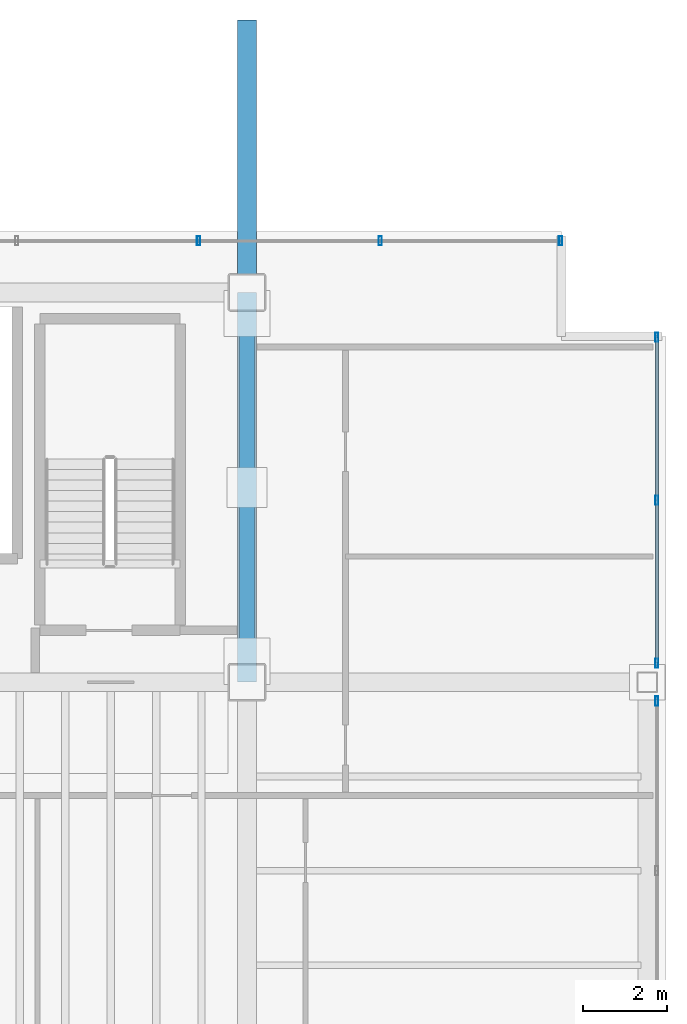
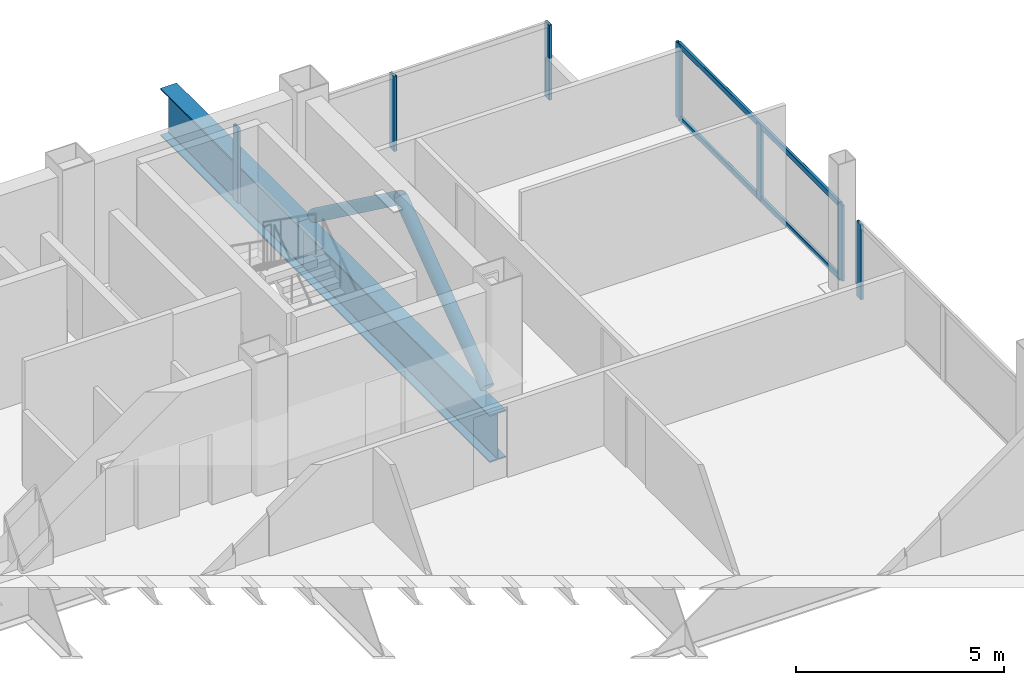
# One storey, part 13 of 17: 11 members, 2 beams, 3 elements without a shape of their own.
"""IFC4 building model written with IfcOpenShell, lengths in metres."""

from ifc_helpers import new_model, si_unit, direction, frame, origin, origin_2d, place, context, subcontext, project, spatial, hollow_rectangle, hollow_circle, i_section, extrude, material, material_profile, profile_set, type_object, element, aggregate, save


model = new_model("IFC4")

# Units and contexts
model_context = context("Model", 3, precision=1e-05, world=origin(), true_north=direction((0.0, 1.0)))
body_context = subcontext(model_context, "Body", "Model", "MODEL_VIEW")
ifc_project = project(units=[si_unit("LENGTHUNIT", "METRE"), si_unit("AREAUNIT", "SQUARE_METRE"), si_unit("VOLUMEUNIT", "CUBIC_METRE"), si_unit("PLANEANGLEUNIT", "RADIAN"), si_unit("MASSUNIT", "GRAM", prefix="KILO")], contexts=[model_context])

# Site, building, storey
site_placement = place(None, origin())
site = spatial("IfcSite", under=ifc_project, at=site_placement, CompositionType="ELEMENT")
building_placement = place(site_placement, origin())
building = spatial("IfcBuilding", under=site, at=building_placement, Name="Noeulbin Bourse Tower", CompositionType="ELEMENT")
storey_placement = place(building_placement, frame((0.0, 0.0, 196.800048828125)))
storey = spatial("IfcBuildingStorey", under=building, at=storey_placement, Name="L49", CompositionType="ELEMENT", Elevation=196.800048828125)

# Beams
ifc_material_1 = material(Name="Steel S460", Category="steel")
ifc_material_profile_1 = material_profile(ifc_material_1, i_section(OverallWidth=0.449951171875, OverallDepth=1.39990234375, WebThickness=0.02392578125, FlangeThickness=0.0400390625, FilletRadius=0.02392578125, at=origin_2d()), Name="PG-1400x450x24x40", Category="LoadBearing")
ifc_profile_set_1 = profile_set([ifc_material_profile_1], Name="Steel S460")
beam_type = type_object("IfcBeamType", Name="BM-TRF-1400", PredefinedType="USERDEFINED", material=ifc_profile_set_1)
beam_1_placement = place(storey_placement, frame((44.0, 29.0, -0.93994140625), z_axis=(0.0, 1.0, 0.0), x_axis=(-1.0, 0.0, 0.0)))
element("IfcBeam", 1, at=beam_1_placement, inside=storey, type_object=beam_type, Name="Tower Primary Girder NS L49-5.5", ObjectType="GIRDER", PredefinedType="USERDEFINED", context=body_context, shape_type="SweptSolid", body=[
    extrude(i_section(OverallWidth=0.449951171875, OverallDepth=1.39990234375, WebThickness=0.02392578125, FlangeThickness=0.0400390625, FilletRadius=0.02392578125, at=origin_2d()), origin(), (0.0, 0.0, 1.0), 9.300048828125),
])
beam_2_placement = place(storey_placement, frame((44.0, 38.300048828125, -0.93994140625), z_axis=(0.0, 1.0, 0.0), x_axis=(-1.0, 0.0, 0.0)))
element("IfcBeam", 2, at=beam_2_placement, inside=storey, type_object=beam_type, Name="Tower Primary Girder NS L49-5.6", ObjectType="GIRDER", PredefinedType="USERDEFINED", context=body_context, shape_type="SweptSolid", body=[
    extrude(i_section(OverallWidth=0.449951171875, OverallDepth=1.39990234375, WebThickness=0.02392578125, FlangeThickness=0.0400390625, FilletRadius=0.02392578125, at=origin_2d()), origin(), (0.0, 0.0, 1.0), 6.5),
])

# Curtain wall, members
ifc_material_2 = material(Name="Dark Tinted Triple Glazing", Category="glass")
curtain_wall_type = type_object("IfcCurtainWallType", Name="CW-SYS-3", PredefinedType="NOTDEFINED", material=ifc_material_2)
curtain_wall_1_placement = place(storey_placement, origin())
curtain_wall_1 = element("IfcCurtainWall", 3, at=curtain_wall_1_placement, inside=storey, type_object=curtain_wall_type, Name="Unitised Curtain Wall CW-L49-N", PredefinedType="NOTDEFINED")
ifc_material_3 = material(Name="Anodised Aluminium 6063-T6", Category="aluminium")
ifc_material_profile_2 = material_profile(ifc_material_3, hollow_rectangle(XDim=0.074951171875, YDim=0.219970703125, WallThickness=0.0048828125, InnerFilletRadius=0.00244140625, OuterFilletRadius=0.0048828125, at=origin_2d()), Name="ALU-MULL-75x220x5", Category="LoadBearing")
ifc_profile_set_2 = profile_set([ifc_material_profile_2], Name="Anodised Aluminium 6063-T6")
member_type_1 = type_object("IfcMemberType", Name="CW-SYS-3-MUL", PredefinedType="MULLION", material=ifc_profile_set_2)
member_1_placement = place(storey_placement, frame((42.844482421875, 39.530029296875, -0.02001953125), z_axis=(0.0, 0.0, 1.0), x_axis=(1.0, 0.0, 0.0)))
member_1 = element("IfcMember", 4, at=member_1_placement, type_object=member_type_1, Name="Curtain Wall Mullion CW-L49-N-M07", PredefinedType="MULLION", context=body_context, shape_type="SweptSolid", body=[
    extrude(hollow_rectangle(XDim=0.074951171875, YDim=0.219970703125, WallThickness=0.0048828125, InnerFilletRadius=0.00244140625, OuterFilletRadius=0.0048828125, at=origin_2d()), origin(), (0.0, 0.0, 1.0), 2.199951171875),
])
member_2_placement = place(storey_placement, frame((47.18212890625, 39.530029296875, -0.02001953125), z_axis=(0.0, 0.0, 1.0), x_axis=(1.0, 0.0, 0.0)))
member_2 = element("IfcMember", 5, at=member_2_placement, type_object=member_type_1, Name="Curtain Wall Mullion CW-L49-N-M08", PredefinedType="MULLION", context=body_context, shape_type="SweptSolid", body=[
    extrude(hollow_rectangle(XDim=0.074951171875, YDim=0.219970703125, WallThickness=0.0048828125, InnerFilletRadius=0.00244140625, OuterFilletRadius=0.0048828125, at=origin_2d()), origin(), (0.0, 0.0, 1.0), 2.199951171875),
])
member_3_placement = place(storey_placement, frame((51.47998046875, 39.530029296875, -0.02001953125), z_axis=(0.0, 0.0, 1.0), x_axis=(1.0, 0.0, 0.0)))
member_3 = element("IfcMember", 6, at=member_3_placement, type_object=member_type_1, Name="Curtain Wall Mullion CW-L49-N-M09", PredefinedType="MULLION", context=body_context, shape_type="SweptSolid", body=[
    extrude(hollow_rectangle(XDim=0.074951171875, YDim=0.219970703125, WallThickness=0.0048828125, InnerFilletRadius=0.00244140625, OuterFilletRadius=0.0048828125, at=origin_2d()), origin(), (0.0, 0.0, 1.0), 2.199951171875),
])
aggregate(curtain_wall_1, [member_1, member_2, member_3])

# Curtain wall, member
curtain_wall_2_placement = place(storey_placement, origin())
curtain_wall_2 = element("IfcCurtainWall", 7, at=curtain_wall_2_placement, inside=storey, type_object=curtain_wall_type, Name="Unitised Curtain Wall CW-L49-E-S2", PredefinedType="NOTDEFINED")
member_4_placement = place(storey_placement, frame((53.780029296875, 28.550048828125, -0.02001953125), z_axis=(0.0, 0.0, 1.0), x_axis=(1.0, 0.0, 0.0)))
member_4 = element("IfcMember", 8, at=member_4_placement, type_object=member_type_1, Name="Curtain Wall Mullion CW-L49-E-S2-M02", PredefinedType="MULLION", context=body_context, shape_type="SweptSolid", body=[
    extrude(hollow_rectangle(XDim=0.074951171875, YDim=0.219970703125, WallThickness=0.0048828125, InnerFilletRadius=0.00244140625, OuterFilletRadius=0.0048828125, at=origin_2d()), origin(), (0.0, 0.0, 1.0), 2.199951171875),
])
aggregate(curtain_wall_2, [member_4])

# Curtain wall, members
curtain_wall_3_placement = place(storey_placement, origin())
curtain_wall_3 = element("IfcCurtainWall", 9, at=curtain_wall_3_placement, inside=storey, type_object=curtain_wall_type, Name="Unitised Curtain Wall CW-L49-E-S3", PredefinedType="NOTDEFINED")
member_5_placement = place(storey_placement, frame((53.780029296875, 29.449951171875, -0.02001953125), z_axis=(0.0, 0.0, 1.0), x_axis=(1.0, 0.0, 0.0)))
member_5 = element("IfcMember", 10, at=member_5_placement, type_object=member_type_1, Name="Curtain Wall Mullion CW-L49-E-S3-M00", PredefinedType="MULLION", context=body_context, shape_type="SweptSolid", body=[
    extrude(hollow_rectangle(XDim=0.074951171875, YDim=0.219970703125, WallThickness=0.0048828125, InnerFilletRadius=0.00244140625, OuterFilletRadius=0.0048828125, at=origin_2d()), origin(), (0.0, 0.0, 1.0), 2.199951171875),
])
member_6_placement = place(storey_placement, frame((53.780029296875, 33.340087890625, -0.02001953125), z_axis=(0.0, 0.0, 1.0), x_axis=(1.0, 0.0, 0.0)))
member_6 = element("IfcMember", 11, at=member_6_placement, type_object=member_type_1, Name="Curtain Wall Mullion CW-L49-E-S3-M01", PredefinedType="MULLION", context=body_context, shape_type="SweptSolid", body=[
    extrude(hollow_rectangle(XDim=0.074951171875, YDim=0.219970703125, WallThickness=0.0048828125, InnerFilletRadius=0.00244140625, OuterFilletRadius=0.0048828125, at=origin_2d()), origin(), (0.0, 0.0, 1.0), 2.199951171875),
])
member_7_placement = place(storey_placement, frame((53.780029296875, 37.22998046875, -0.02001953125), z_axis=(0.0, 0.0, 1.0), x_axis=(1.0, 0.0, 0.0)))
member_7 = element("IfcMember", 12, at=member_7_placement, type_object=member_type_1, Name="Curtain Wall Mullion CW-L49-E-S3-M02", PredefinedType="MULLION", context=body_context, shape_type="SweptSolid", body=[
    extrude(hollow_rectangle(XDim=0.074951171875, YDim=0.219970703125, WallThickness=0.0048828125, InnerFilletRadius=0.00244140625, OuterFilletRadius=0.0048828125, at=origin_2d()), origin(), (0.0, 0.0, 1.0), 2.199951171875),
])
ifc_material_profile_3 = material_profile(ifc_material_3, hollow_rectangle(XDim=0.074951171875, YDim=0.159912109375, WallThickness=0.0048828125, InnerFilletRadius=0.00244140625, OuterFilletRadius=0.0048828125, at=origin_2d()), Name="ALU-TRAN-75x160x5", Category="LoadBearing")
ifc_profile_set_3 = profile_set([ifc_material_profile_3], Name="Anodised Aluminium 6063-T6")
member_type_2 = type_object("IfcMemberType", Name="CW-SYS-3-TRN", PredefinedType="USERDEFINED", material=ifc_profile_set_3)
member_8_placement = place(storey_placement, frame((53.780029296875, 29.4599609375, 0.010009765625), z_axis=(0.0, 1.0, 0.0), x_axis=(-1.0, 0.0, 0.0)))
member_8 = element("IfcMember", 13, at=member_8_placement, type_object=member_type_2, Name="Curtain Wall Transom CW-L49-E-S3-T00", ObjectType="TRANSOM", PredefinedType="USERDEFINED", context=body_context, shape_type="SweptSolid", body=[
    extrude(hollow_rectangle(XDim=0.074951171875, YDim=0.159912109375, WallThickness=0.0048828125, InnerFilletRadius=0.00244140625, OuterFilletRadius=0.0048828125, at=origin_2d()), origin(), (0.0, 0.0, 1.0), 7.760009765625),
])
member_9_placement = place(storey_placement, frame((53.780029296875, 29.4599609375, 2.14990234375), z_axis=(0.0, 1.0, 0.0), x_axis=(-1.0, 0.0, 0.0)))
member_9 = element("IfcMember", 14, at=member_9_placement, type_object=member_type_2, Name="Curtain Wall Transom CW-L49-E-S3-T01", ObjectType="TRANSOM", PredefinedType="USERDEFINED", context=body_context, shape_type="SweptSolid", body=[
    extrude(hollow_rectangle(XDim=0.074951171875, YDim=0.159912109375, WallThickness=0.0048828125, InnerFilletRadius=0.00244140625, OuterFilletRadius=0.0048828125, at=origin_2d()), origin(), (0.0, 0.0, 1.0), 7.760009765625),
])
aggregate(curtain_wall_3, [member_5, member_6, member_7, member_8, member_9])

# Members
ifc_material_4 = material(Name="Steel S355", Category="steel")
ifc_material_profile_4 = material_profile(ifc_material_4, hollow_circle(Radius=0.177734375, WallThickness=0.0126953125, at=origin_2d()), Name="CHS-355.6x12.7", Category="LoadBearing")
ifc_profile_set_4 = profile_set([ifc_material_profile_4], Name="Steel S355")
member_type_3 = type_object("IfcMemberType", Name="MEM-EXO-356", PredefinedType="BRACE", material=ifc_profile_set_4)
member_10_placement = place(storey_placement, frame((44.0, 29.5, 0.199951171875), z_axis=(0.0, 0.805776092721, 0.59222030394), x_axis=(-1.0, 0.0, 0.0)))
element("IfcMember", 15, at=member_10_placement, inside=storey, type_object=member_type_3, Name="Core Flank Chevron Brace XT-L49-E1", PredefinedType="BRACE", context=body_context, shape_type="SweptSolid", body=[
    extrude(hollow_circle(Radius=0.177734375, WallThickness=0.0126953125, at=origin_2d()), origin(), (0.0, 0.0, 1.0), 5.150146484375),
])
member_11_placement = place(storey_placement, frame((44.0, 33.64990234375, 3.25), z_axis=(0.0, 0.805792717591, -0.592197683444), x_axis=(-1.0, 0.0, 0.0)))
element("IfcMember", 16, at=member_11_placement, inside=storey, type_object=member_type_3, Name="Core Flank Chevron Brace XT-L49-E2", PredefinedType="BRACE", context=body_context, shape_type="SweptSolid", body=[
    extrude(hollow_circle(Radius=0.177734375, WallThickness=0.0126953125, at=origin_2d()), origin(), (0.0, 0.0, 1.0), 5.150390625),
])

save(model, "model.ifc")
